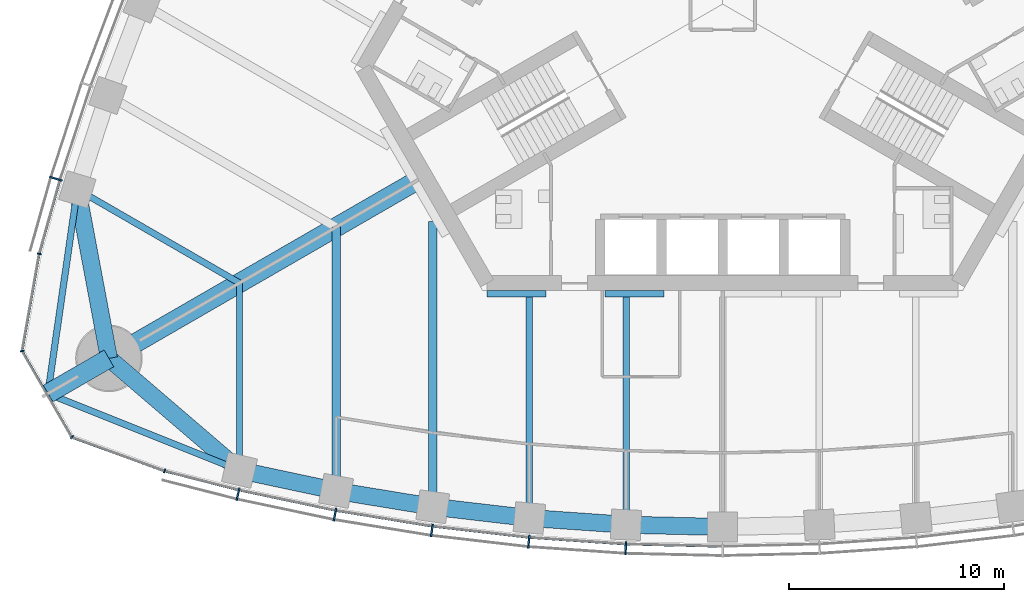
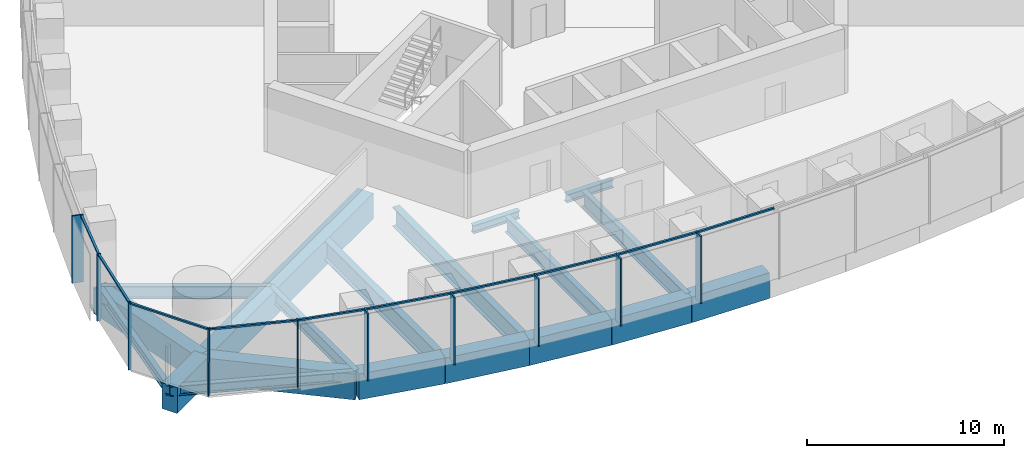
# One storey, part 2 of 18: 20 members, 19 beams, 3 elements without a shape of their own.
"""IFC4 building model written with IfcOpenShell, lengths in metres."""

from ifc_helpers import new_model, si_unit, direction, frame, origin, origin_2d, place, context, subcontext, project, spatial, rectangle, i_section, extrude, material, material_profile, profile_set, type_object, element, aggregate, save


model = new_model("IFC4")

# Units and contexts
model_context = context("Model", 3, precision=1e-05, world=origin(), true_north=direction((0.0, 1.0)))
body_context = subcontext(model_context, "Body", "Model", "MODEL_VIEW")
ifc_project = project(units=[si_unit("LENGTHUNIT", "METRE"), si_unit("AREAUNIT", "SQUARE_METRE"), si_unit("VOLUMEUNIT", "CUBIC_METRE"), si_unit("PLANEANGLEUNIT", "RADIAN"), si_unit("MASSUNIT", "GRAM", prefix="KILO")], contexts=[model_context])

# Site, building, storey
site_placement = place(None, origin())
site = spatial("IfcSite", under=ifc_project, at=site_placement, CompositionType="ELEMENT")
building_placement = place(site_placement, origin())
building = spatial("IfcBuilding", under=site, at=building_placement, Name="Trefoil Bronze Tower", CompositionType="ELEMENT")
storey_placement = place(building_placement, frame((0.0, 0.0, 252.699951171875)))
storey = spatial("IfcBuildingStorey", under=building, at=storey_placement, Name="L58", CompositionType="ELEMENT", Elevation=252.699951171875)

# Curtain wall, members
ifc_material_1 = material(Name="Tinted solar-control glass", Category="glass")
curtain_wall_type_1 = type_object("IfcCurtainWallType", Name="Bronze office curtain wall", PredefinedType="USERDEFINED", material=ifc_material_1)
curtain_wall_1_placement = place(storey_placement, origin())
curtain_wall_1 = element("IfcCurtainWall", 1, at=curtain_wall_1_placement, inside=storey, type_object=curtain_wall_type_1, Name="CW-A L58 F1", ObjectType="CURTAIN WALL", PredefinedType="USERDEFINED")
ifc_material_2 = material(Name="Bronze-finish aluminium", Category="aluminium")
ifc_material_profile_1 = material_profile(ifc_material_2, rectangle(XDim=0.60009765625, YDim=0.080078125, at=origin_2d()), Name="CW-A mullion")
ifc_profile_set_1 = profile_set([ifc_material_profile_1], Name="Bronze-finish aluminium")
member_type_1 = type_object("IfcMemberType", Name="Bronze office curtain wall mullion", PredefinedType="MULLION", material=ifc_profile_set_1)
member_1_placement = place(storey_placement, frame((-22.568115234375, -22.82421875, 0.0), z_axis=(0.0, 0.0, 1.0), x_axis=(0.227082662569, 0.973875487093, 0.0)))
member_1 = element("IfcMember", 2, at=member_1_placement, type_object=member_type_1, Name="CW-A L58 F1 mullion 2", PredefinedType="MULLION", context=body_context, shape_type="SweptSolid", body=[
    extrude(rectangle(XDim=0.60009765625, YDim=0.080078125, at=origin_2d()), origin(), (0.0, 0.0, 1.0), 4.179931640625),
])
member_2_placement = place(storey_placement, frame((-18.05517578125, -23.77783203125, 0.0), z_axis=(0.0, 0.0, 1.0), x_axis=(0.183825368167, 0.982958917767, 0.0)))
member_2 = element("IfcMember", 3, at=member_2_placement, type_object=member_type_1, Name="CW-A L58 F1 mullion 3", PredefinedType="MULLION", context=body_context, shape_type="SweptSolid", body=[
    extrude(rectangle(XDim=0.60009765625, YDim=0.080078125, at=origin_2d()), origin(), (0.0, 0.0, 1.0), 4.179931640625),
])
member_3_placement = place(storey_placement, frame((-13.541259765625, -24.51318359375, 0.0), z_axis=(0.0, 0.0, 1.0), x_axis=(0.137867887204, 0.990450627582, 0.0)))
member_3 = element("IfcMember", 4, at=member_3_placement, type_object=member_type_1, Name="CW-A L58 F1 mullion 4", PredefinedType="MULLION", context=body_context, shape_type="SweptSolid", body=[
    extrude(rectangle(XDim=0.60009765625, YDim=0.080078125, at=origin_2d()), origin(), (0.0, 0.0, 1.0), 4.179931640625),
])
member_4_placement = place(storey_placement, frame((-9.027587890625, -25.03515625, 0.0), z_axis=(0.0, 0.0, 1.0), x_axis=(0.091911396394, 0.995767189263, 0.0)))
member_4 = element("IfcMember", 5, at=member_4_placement, type_object=member_type_1, Name="CW-A L58 F1 mullion 5", PredefinedType="MULLION", context=body_context, shape_type="SweptSolid", body=[
    extrude(rectangle(XDim=0.60009765625, YDim=0.080078125, at=origin_2d()), origin(), (0.0, 0.0, 1.0), 4.179931640625),
])
member_5_placement = place(storey_placement, frame((-4.513671875, -25.346923828125, 0.0), z_axis=(0.0, 0.0, 1.0), x_axis=(0.045955542372, 0.998943485952, 0.0)))
member_5 = element("IfcMember", 6, at=member_5_placement, type_object=member_type_1, Name="CW-A L58 F1 mullion 6", PredefinedType="MULLION", context=body_context, shape_type="SweptSolid", body=[
    extrude(rectangle(XDim=0.60009765625, YDim=0.080078125, at=origin_2d()), origin(), (0.0, 0.0, 1.0), 4.179931640625),
])

# Curtain wall, member
curtain_wall_2_placement = place(storey_placement, origin())
curtain_wall_2 = element("IfcCurtainWall", 7, at=curtain_wall_2_placement, inside=storey, type_object=curtain_wall_type_1, Name="CW-A L58 F3", ObjectType="CURTAIN WALL", PredefinedType="USERDEFINED")
member_6_placement = place(storey_placement, frame((-31.05029296875, -8.132568359375, 0.0), z_axis=(0.0, 0.0, 1.0), x_axis=(0.95694224323, -0.290278389002, 0.0)))
member_6 = element("IfcMember", 8, at=member_6_placement, type_object=member_type_1, Name="CW-A L58 F3 mullion 12", PredefinedType="MULLION", context=body_context, shape_type="SweptSolid", body=[
    extrude(rectangle(XDim=0.60009765625, YDim=0.080078125, at=origin_2d()), origin(), (0.0, 0.0, 1.0), 4.179931640625),
])

# Member
ifc_material_3 = material(Name="Bronze-finish aluminium", Category="aluminium")
ifc_material_profile_2 = material_profile(ifc_material_3, rectangle(XDim=0.1201171875, YDim=0.10009765625, at=origin_2d()), Name="CW-A transom")
ifc_profile_set_2 = profile_set([ifc_material_profile_2], Name="Bronze-finish aluminium")
member_type_2 = type_object("IfcMemberType", Name="Bronze office curtain wall transom", PredefinedType="USERDEFINED", material=ifc_profile_set_2)
member_7_placement = place(storey_placement, frame((-25.93896484375, -21.75732421875, 4.130126953125), z_axis=(0.968935220916, -0.247314653162, 0.0), x_axis=(0.247314653162, 0.968935220916, 0.0)))
member_7 = element("IfcMember", 9, at=member_7_placement, type_object=member_type_2, Name="CW-A L58 F1 transom 1", ObjectType="TRANSOM", PredefinedType="USERDEFINED", context=body_context, shape_type="SweptSolid", body=[
    extrude(rectangle(XDim=0.1201171875, YDim=0.10009765625, at=origin_2d()), origin(), (0.0, 0.0, 1.0), 3.483642578125),
])

member_8_placement = place(storey_placement, frame((-22.4814453125, -22.63818359375, 4.130126953125), z_axis=(0.978395325657, -0.20674280334, 0.0), x_axis=(0.20674280334, 0.978395325657, 0.0)))
member_8 = element("IfcMember", 10, at=member_8_placement, type_object=member_type_2, Name="CW-A L58 F1 transom 2", ObjectType="TRANSOM", PredefinedType="USERDEFINED", context=body_context, shape_type="SweptSolid", body=[
    extrude(rectangle(XDim=0.1201171875, YDim=0.10009765625, at=origin_2d()), origin(), (0.0, 0.0, 1.0), 4.519287109375),
])

member_9_placement = place(storey_placement, frame((-17.9765625, -23.588134765625, 4.130126953125), z_axis=(0.986988367046, -0.160791676761, 0.0), x_axis=(0.160791676761, 0.986988367046, 0.0)))
member_9 = element("IfcMember", 11, at=member_9_placement, type_object=member_type_2, Name="CW-A L58 F1 transom 3", ObjectType="TRANSOM", PredefinedType="USERDEFINED", context=body_context, shape_type="SweptSolid", body=[
    extrude(rectangle(XDim=0.1201171875, YDim=0.10009765625, at=origin_2d()), origin(), (0.0, 0.0, 1.0), 4.479248046875),
])

member_10_placement = place(storey_placement, frame((-13.4716796875, -24.320068359375, 4.130126953125), z_axis=(0.993384885596, -0.114832352013, 0.0), x_axis=(0.114832352013, 0.993384885596, 0.0)))
member_10 = element("IfcMember", 12, at=member_10_placement, type_object=member_type_2, Name="CW-A L58 F1 transom 4", ObjectType="TRANSOM", PredefinedType="USERDEFINED", context=body_context, shape_type="SweptSolid", body=[
    extrude(rectangle(XDim=0.1201171875, YDim=0.10009765625, at=origin_2d()), origin(), (0.0, 0.0, 1.0), 4.449951171875),
])

member_11_placement = place(storey_placement, frame((-8.967041015625, -24.8388671875, 4.130126953125), z_axis=(0.997621320987, -0.06893257512, 0.0), x_axis=(0.06893257512, 0.997621320987, 0.0)))
member_11 = element("IfcMember", 13, at=member_11_placement, type_object=member_type_2, Name="CW-A L58 F1 transom 5", ObjectType="TRANSOM", PredefinedType="USERDEFINED", context=body_context, shape_type="SweptSolid", body=[
    extrude(rectangle(XDim=0.1201171875, YDim=0.10009765625, at=origin_2d()), origin(), (0.0, 0.0, 1.0), 4.4306640625),
])

member_12_placement = place(storey_placement, frame((-4.46240234375, -25.148193359375, 4.130126953125), z_axis=(0.999736131416, -0.022971015226, 0.0), x_axis=(0.022971015226, 0.999736131416, 0.0)))
member_12 = element("IfcMember", 14, at=member_12_placement, type_object=member_type_2, Name="CW-A L58 F1 transom 6", ObjectType="TRANSOM", PredefinedType="USERDEFINED", context=body_context, shape_type="SweptSolid", body=[
    extrude(rectangle(XDim=0.1201171875, YDim=0.10009765625, at=origin_2d()), origin(), (0.0, 0.0, 1.0), 4.42138671875),
])

aggregate(curtain_wall_1, [member_1, member_2, member_3, member_4, member_5, member_7, member_8, member_9, member_10, member_11, member_12])

member_13_placement = place(storey_placement, frame((-30.870361328125, -8.23095703125, 4.130126953125), z_axis=(-0.270284880437, -0.962780392097, 0.0), x_axis=(0.962780392097, -0.270284880437, 0.0)))
member_13 = element("IfcMember", 15, at=member_13_placement, type_object=member_type_2, Name="CW-A L58 F3 transom 12", ObjectType="TRANSOM", PredefinedType="USERDEFINED", context=body_context, shape_type="SweptSolid", body=[
    extrude(rectangle(XDim=0.1201171875, YDim=0.10009765625, at=origin_2d()), origin(), (0.0, 0.0, 1.0), 3.48388671875),
])

aggregate(curtain_wall_2, [member_6, member_13])

# Curtain wall, members
ifc_material_4 = material(Name="Tinted solar-control glass", Category="glass")
curtain_wall_type_2 = type_object("IfcCurtainWallType", Name="Bronze rounded corner curtain wall", PredefinedType="USERDEFINED", material=ifc_material_4)
curtain_wall_3_placement = place(storey_placement, origin())
curtain_wall_3 = element("IfcCurtainWall", 16, at=curtain_wall_3_placement, inside=storey, type_object=curtain_wall_type_2, Name="CW-B L58 K3", ObjectType="CURTAIN WALL", PredefinedType="USERDEFINED")
ifc_material_5 = material(Name="Bronze-finish aluminium", Category="aluminium")
ifc_material_profile_3 = material_profile(ifc_material_5, rectangle(XDim=0.199951171875, YDim=0.06005859375, at=origin_2d()), Name="CW-B mullion")
ifc_profile_set_3 = profile_set([ifc_material_profile_3], Name="Bronze-finish aluminium")
member_type_3 = type_object("IfcMemberType", Name="Bronze rounded corner curtain wall mullion", PredefinedType="MULLION", material=ifc_profile_set_3)
member_14_placement = place(storey_placement, frame((-31.824951171875, -11.63330078125, 0.0), z_axis=(0.0, 0.0, 1.0), x_axis=(0.984807753012, -0.173648177667, 0.0)))
member_14 = element("IfcMember", 17, at=member_14_placement, type_object=member_type_3, Name="CW-B L58 K3 mullion 1", PredefinedType="MULLION", context=body_context, shape_type="SweptSolid", body=[
    extrude(rectangle(XDim=0.199951171875, YDim=0.06005859375, at=origin_2d()), origin(), (0.0, 0.0, 1.0), 4.179931640625),
])
member_15_placement = place(storey_placement, frame((-32.616943359375, -16.158935546875, 0.0), z_axis=(0.0, 0.0, 1.0), x_axis=(0.984807753012, 0.173648177667, 0.0)))
member_15 = element("IfcMember", 18, at=member_15_placement, type_object=member_type_3, Name="CW-B L58 K3 mullion 2", PredefinedType="MULLION", context=body_context, shape_type="SweptSolid", body=[
    extrude(rectangle(XDim=0.199951171875, YDim=0.06005859375, at=origin_2d()), origin(), (0.0, 0.0, 1.0), 4.179931640625),
])
member_16_placement = place(storey_placement, frame((-30.302490234375, -20.16748046875, 0.0), z_axis=(0.0, 0.0, 1.0), x_axis=(0.642787609687, 0.766044443119, 0.0)))
member_16 = element("IfcMember", 19, at=member_16_placement, type_object=member_type_3, Name="CW-B L58 K3 mullion 3", PredefinedType="MULLION", context=body_context, shape_type="SweptSolid", body=[
    extrude(rectangle(XDim=0.199951171875, YDim=0.06005859375, at=origin_2d()), origin(), (0.0, 0.0, 1.0), 4.179931640625),
])
member_17_placement = place(storey_placement, frame((-25.9873046875, -21.74462890625, 0.0), z_axis=(0.0, 0.0, 1.0), x_axis=(0.342020143326, 0.939692620786, 0.0)))
member_17 = element("IfcMember", 20, at=member_17_placement, type_object=member_type_3, Name="CW-B L58 K3 mullion 4", PredefinedType="MULLION", context=body_context, shape_type="SweptSolid", body=[
    extrude(rectangle(XDim=0.199951171875, YDim=0.06005859375, at=origin_2d()), origin(), (0.0, 0.0, 1.0), 4.179931640625),
])
ifc_material_6 = material(Name="Bronze-finish aluminium", Category="aluminium")
ifc_material_profile_4 = material_profile(ifc_material_6, rectangle(XDim=0.1201171875, YDim=0.10009765625, at=origin_2d()), Name="CW-B transom")
ifc_profile_set_4 = profile_set([ifc_material_profile_4], Name="Bronze-finish aluminium")
member_type_4 = type_object("IfcMemberType", Name="Bronze rounded corner curtain wall transom", PredefinedType="USERDEFINED", material=ifc_profile_set_4)
member_18_placement = place(storey_placement, frame((-31.830078125, -11.662841796875, 4.130126953125), z_axis=(-0.173655350028, -0.984806488304, 0.0), x_axis=(0.984806488304, -0.173655350028, 0.0)))
member_18 = element("IfcMember", 21, at=member_18_placement, type_object=member_type_4, Name="CW-B L58 K3 transom 1", ObjectType="TRANSOM", PredefinedType="USERDEFINED", context=body_context, shape_type="SweptSolid", body=[
    extrude(rectangle(XDim=0.1201171875, YDim=0.10009765625, at=origin_2d()), origin(), (0.0, 0.0, 1.0), 4.500244140625),
])
member_19_placement = place(storey_placement, frame((-32.590087890625, -16.217529296875, 4.130126953125), z_axis=(0.500007335828, -0.866021168401, 0.0), x_axis=(0.866021168401, 0.500007335828, 0.0)))
member_19 = element("IfcMember", 22, at=member_19_placement, type_object=member_type_4, Name="CW-B L58 K3 transom 2", ObjectType="TRANSOM", PredefinedType="USERDEFINED", context=body_context, shape_type="SweptSolid", body=[
    extrude(rectangle(XDim=0.1201171875, YDim=0.10009765625, at=origin_2d()), origin(), (0.0, 0.0, 1.0), 4.50048828125),
])
member_20_placement = place(storey_placement, frame((-30.244140625, -20.195068359375, 4.130126953125), z_axis=(0.939680910753, -0.342052314664, 0.0), x_axis=(0.342052314664, 0.939680910753, 0.0)))
member_20 = element("IfcMember", 23, at=member_20_placement, type_object=member_type_4, Name="CW-B L58 K3 transom 3", ObjectType="TRANSOM", PredefinedType="USERDEFINED", context=body_context, shape_type="SweptSolid", body=[
    extrude(rectangle(XDim=0.1201171875, YDim=0.10009765625, at=origin_2d()), origin(), (0.0, 0.0, 1.0), 4.500244140625),
])
aggregate(curtain_wall_3, [member_14, member_15, member_16, member_17, member_18, member_19, member_20])

# Beams
ifc_material_7 = material(Name="Steel C355", Category="steel")
ifc_material_profile_5 = material_profile(ifc_material_7, i_section(OverallWidth=0.300048828125, OverallDepth=0.5, WebThickness=0.014404296875, FlangeThickness=0.028076171875, FilletRadius=0.027099609375, at=origin_2d()), Name="HEB 500")
ifc_profile_set_5 = profile_set([ifc_material_profile_5], Name="Steel C355")
beam_type_1 = type_object("IfcBeamType", Name="Core seat beam HEB 500", PredefinedType="BEAM", material=ifc_profile_set_5)
for number, where, z_axis, x_axis, name in (
    (24, (-10.9697265625, -13.5, -0.449951171875), (1.0, 0.0, 0.0), (0.0, 1.0, 0.0), "Core seat beam F1/-2 L58"),
    (25, (-5.48486328125, -13.5, -0.449951171875), (1.0, 0.0, 0.0), (0.0, 1.0, 0.0), "Core seat beam F1/-1 L58"),
):
    element("IfcBeam", number, at=place(storey_placement, frame(where, z_axis=z_axis, x_axis=x_axis)), inside=storey, type_object=beam_type_1, Name=name, PredefinedType="BEAM", context=body_context, shape_type="SweptSolid", body=[
        extrude(i_section(OverallWidth=0.300048828125, OverallDepth=0.5, WebThickness=0.014404296875, FlangeThickness=0.028076171875, FilletRadius=0.027099609375, at=origin_2d()), origin(), (0.0, 0.0, 1.0), 2.742431640625),
    ])
ifc_material_8 = material(Name="Concrete B80", Category="concrete")
ifc_material_profile_6 = material_profile(ifc_material_8, rectangle(XDim=0.89990234375, YDim=1.60009765625, at=origin_2d()), Name="RC 900x1600")
ifc_profile_set_6 = profile_set([ifc_material_profile_6], Name="Concrete B80")
beam_type_2 = type_object("IfcBeamType", Name="Corner cantilever RC 900x1600", PredefinedType="BEAM", material=ifc_profile_set_6)
beam_1_placement = place(storey_placement, frame((-28.578857421875, -16.5, -1.0), z_axis=(-0.866016004958, -0.500016278891, 0.0), x_axis=(0.500016278891, -0.866016004958, 0.0)))
element("IfcBeam", 26, at=beam_1_placement, inside=storey, type_object=beam_type_2, Name="Corner cantilever K3 L58", PredefinedType="BEAM", context=body_context, shape_type="SweptSolid", body=[
    extrude(rectangle(XDim=0.89990234375, YDim=1.60009765625, at=origin_2d()), origin(), (0.0, 0.0, 1.0), 3.28466796875),
])
ifc_material_9 = material(Name="Steel C355", Category="steel")
ifc_material_profile_7 = material_profile(ifc_material_9, i_section(OverallWidth=0.300048828125, OverallDepth=0.60009765625, WebThickness=0.015380859375, FlangeThickness=0.030029296875, FilletRadius=0.027099609375, at=origin_2d()), Name="HEB 600")
ifc_profile_set_7 = profile_set([ifc_material_profile_7], Name="Steel C355")
beam_type_3 = type_object("IfcBeamType", Name="Corner edge beam HEB 600", PredefinedType="BEAM", material=ifc_profile_set_7)
for number, where, z_axis, x_axis, name in (
    (27, (-22.5, -21.71044921875, -0.5), (-0.92852048463, 0.371281173266, 0.0), (-0.371281173266, -0.92852048463, 0.0), "Corner edge beam F1B L58"),
    (28, (-30.052001953125, -8.63037109375, -0.5), (-0.142694489722, -0.989766781925, 0.0), (0.989766781925, -0.142694489722, 0.0), "Corner edge beam F3A L58"),
):
    element("IfcBeam", number, at=place(storey_placement, frame(where, z_axis=z_axis, x_axis=x_axis)), inside=storey, type_object=beam_type_3, Name=name, PredefinedType="BEAM", context=body_context, shape_type="SweptSolid", body=[
        extrude(i_section(OverallWidth=0.300048828125, OverallDepth=0.60009765625, WebThickness=0.015380859375, FlangeThickness=0.030029296875, FilletRadius=0.027099609375, at=origin_2d()), origin(), (0.0, 0.0, 1.0), 9.6103515625),
    ])
ifc_material_10 = material(Name="Concrete B80", Category="concrete")
ifc_material_profile_8 = material_profile(ifc_material_10, rectangle(XDim=0.89990234375, YDim=1.60009765625, at=origin_2d()), Name="RC 900x1600")
ifc_profile_set_8 = profile_set([ifc_material_profile_8], Name="Concrete B80")
beam_type_4 = type_object("IfcBeamType", Name="Corner girder RC 900x1600", PredefinedType="BEAM", material=ifc_profile_set_8)
beam_2_placement = place(storey_placement, frame((-14.159423828125, -8.175048828125, -1.0), z_axis=(-0.866028334591, -0.49999492366, 0.0), x_axis=(0.49999492366, -0.866028334591, 0.0)))
element("IfcBeam", 29, at=beam_2_placement, inside=storey, type_object=beam_type_4, Name="Corner girder K3 L58", PredefinedType="BEAM", context=body_context, shape_type="SweptSolid", body=[
    extrude(rectangle(XDim=0.89990234375, YDim=1.60009765625, at=origin_2d()), origin(), (0.0, 0.0, 1.0), 16.650146484375),
])
ifc_material_11 = material(Name="Concrete B80", Category="concrete")
ifc_material_profile_9 = material_profile(ifc_material_11, rectangle(XDim=0.800048828125, YDim=1.60009765625, at=origin_2d()), Name="RC 800x1600")
ifc_profile_set_9 = profile_set([ifc_material_profile_9], Name="Concrete B80")
beam_type_5 = type_object("IfcBeamType", Name="End spandrel beam RC 800x1600", PredefinedType="SPANDREL", material=ifc_profile_set_9)
for number, where, z_axis, x_axis, name in (
    (30, (-28.578857421875, -16.5, -1.0), (0.759256602365, -0.650791373456, 0.0), (0.650791373456, 0.759256602365, 0.0), "Spandrel F1.1 L58"),
    (31, (-30.052001953125, -8.63037109375, -1.0), (0.18399763073, -0.982926686933, 0.0), (0.982926686933, 0.18399763073, 0.0), "Spandrel F3.12 L58"),
):
    element("IfcBeam", number, at=place(storey_placement, frame(where, z_axis=z_axis, x_axis=x_axis)), inside=storey, type_object=beam_type_5, Name=name, PredefinedType="SPANDREL", context=body_context, shape_type="SweptSolid", body=[
        extrude(rectangle(XDim=0.800048828125, YDim=1.60009765625, at=origin_2d()), origin(), (0.0, 0.0, 1.0), 8.00634765625),
    ])
ifc_material_12 = material(Name="Steel C355", Category="steel")
ifc_material_profile_10 = material_profile(ifc_material_12, i_section(OverallWidth=0.300048828125, OverallDepth=1.0, WebThickness=0.01904296875, FlangeThickness=0.035888671875, FilletRadius=0.030029296875, at=origin_2d()), Name="HEB 1000")
ifc_profile_set_10 = profile_set([ifc_material_profile_10], Name="Steel C355")
beam_type_6 = type_object("IfcBeamType", Name="Floor beam HEB 1000", PredefinedType="BEAM", material=ifc_profile_set_10)
beam_3_placement = place(storey_placement, frame((-9.0, -23.932861328125, -0.699951171875), z_axis=(0.0, 1.0, 0.0), x_axis=(-1.0, 0.0, 0.0)))
element("IfcBeam", 32, at=beam_3_placement, inside=storey, type_object=beam_type_6, Name="Floor beam F1/-2 L58", PredefinedType="BEAM", context=body_context, shape_type="SweptSolid", body=[
    extrude(i_section(OverallWidth=0.300048828125, OverallDepth=1.0, WebThickness=0.01904296875, FlangeThickness=0.035888671875, FilletRadius=0.030029296875, at=origin_2d()), origin(), (0.0, 0.0, 1.0), 10.282958984375),
])
ifc_material_13 = material(Name="Steel C355", Category="steel")
ifc_material_profile_11 = material_profile(ifc_material_13, i_section(OverallWidth=0.300048828125, OverallDepth=0.800048828125, WebThickness=0.017578125, FlangeThickness=0.032958984375, FilletRadius=0.030029296875, at=origin_2d()), Name="HEB 800")
ifc_profile_set_11 = profile_set([ifc_material_profile_11], Name="Steel C355")
beam_type_7 = type_object("IfcBeamType", Name="Floor beam HEB 800", PredefinedType="BEAM", material=ifc_profile_set_11)
beam_4_placement = place(storey_placement, frame((-22.5, -21.71044921875, -0.599853515625), z_axis=(0.0, 1.0, 0.0), x_axis=(-1.0, 0.0, 0.0)))
element("IfcBeam", 33, at=beam_4_placement, inside=storey, type_object=beam_type_7, Name="Floor beam F1/-5 L58", PredefinedType="BEAM", context=body_context, shape_type="SweptSolid", body=[
    extrude(i_section(OverallWidth=0.300048828125, OverallDepth=0.800048828125, WebThickness=0.017578125, FlangeThickness=0.032958984375, FilletRadius=0.030029296875, at=origin_2d()), origin(), (0.0, 0.0, 1.0), 8.719970703125),
])
beam_5_placement = place(storey_placement, frame((-30.052001953125, -8.63037109375, -0.599853515625), z_axis=(0.866027535932, -0.499996306993, 0.0), x_axis=(0.499996306993, 0.866027535932, 0.0)))
element("IfcBeam", 34, at=beam_5_placement, inside=storey, type_object=beam_type_7, Name="Floor beam F3/+5 L58", PredefinedType="BEAM", context=body_context, shape_type="SweptSolid", body=[
    extrude(i_section(OverallWidth=0.300048828125, OverallDepth=0.800048828125, WebThickness=0.017578125, FlangeThickness=0.032958984375, FilletRadius=0.030029296875, at=origin_2d()), origin(), (0.0, 0.0, 1.0), 8.72021484375),
])
ifc_material_14 = material(Name="Steel C355", Category="steel")
ifc_material_profile_12 = material_profile(ifc_material_14, i_section(OverallWidth=0.302001953125, OverallDepth=1.008056640625, WebThickness=0.02099609375, FlangeThickness=0.0400390625, FilletRadius=0.030029296875, at=origin_2d()), Name="HEM 1000")
ifc_profile_set_12 = profile_set([ifc_material_profile_12], Name="Steel C355")
beam_type_8 = type_object("IfcBeamType", Name="Floor beam HEM 1000", PredefinedType="BEAM", material=ifc_profile_set_12)
beam_6_placement = place(storey_placement, frame((-4.5, -24.246337890625, -0.703857421875), z_axis=(0.0, 1.0, 0.0), x_axis=(-1.0, 0.0, 0.0)))
element("IfcBeam", 35, at=beam_6_placement, inside=storey, type_object=beam_type_8, Name="Floor beam F1/-1 L58", PredefinedType="BEAM", context=body_context, shape_type="SweptSolid", body=[
    extrude(i_section(OverallWidth=0.302001953125, OverallDepth=1.008056640625, WebThickness=0.02099609375, FlangeThickness=0.0400390625, FilletRadius=0.030029296875, at=origin_2d()), origin(), (0.0, 0.0, 1.0), 10.596435546875),
])
ifc_material_15 = material(Name="Steel C355", Category="steel")
ifc_material_profile_13 = material_profile(ifc_material_15, i_section(OverallWidth=0.39990234375, OverallDepth=1.199951171875, WebThickness=0.02001953125, FlangeThickness=0.0400390625, FilletRadius=0.010009765625, at=origin_2d()), Name="WPG 1200")
ifc_profile_set_13 = profile_set([ifc_material_profile_13], Name="Steel C355")
beam_type_9 = type_object("IfcBeamType", Name="Floor beam WPG 1200", PredefinedType="BEAM", material=ifc_profile_set_13)
beam_7_placement = place(storey_placement, frame((-18.0, -22.6689453125, -0.800048828125), z_axis=(0.0, 1.0, 0.0), x_axis=(-1.0, 0.0, 0.0)))
element("IfcBeam", 36, at=beam_7_placement, inside=storey, type_object=beam_type_9, Name="Floor beam F1/-4 L58", PredefinedType="BEAM", context=body_context, shape_type="SweptSolid", body=[
    extrude(i_section(OverallWidth=0.39990234375, OverallDepth=1.199951171875, WebThickness=0.02001953125, FlangeThickness=0.0400390625, FilletRadius=0.010009765625, at=origin_2d()), origin(), (0.0, 0.0, 1.0), 12.276611328125),
])
beam_8_placement = place(storey_placement, frame((-13.5, -23.408447265625, -0.800048828125), z_axis=(0.0, 1.0, 0.0), x_axis=(-1.0, 0.0, 0.0)))
element("IfcBeam", 37, at=beam_8_placement, inside=storey, type_object=beam_type_9, Name="Floor beam F1/-3 L58", PredefinedType="BEAM", context=body_context, shape_type="SweptSolid", body=[
    extrude(i_section(OverallWidth=0.39990234375, OverallDepth=1.199951171875, WebThickness=0.02001953125, FlangeThickness=0.0400390625, FilletRadius=0.010009765625, at=origin_2d()), origin(), (0.0, 0.0, 1.0), 13.291015625),
])
ifc_material_16 = material(Name="Concrete B80", Category="concrete")
ifc_material_profile_14 = material_profile(ifc_material_16, rectangle(XDim=0.800048828125, YDim=1.60009765625, at=origin_2d()), Name="RC 800x1600")
ifc_profile_set_14 = profile_set([ifc_material_profile_14], Name="Concrete B80")
beam_type_10 = type_object("IfcBeamType", Name="Spandrel beam RC 800x1600", PredefinedType="SPANDREL", material=ifc_profile_set_14)
beam_9_placement = place(storey_placement, frame((-22.5, -21.71044921875, -1.0), z_axis=(0.978059483036, -0.208325820877, 0.0), x_axis=(0.208325820877, 0.978059483036, 0.0)))
element("IfcBeam", 38, at=beam_9_placement, inside=storey, type_object=beam_type_10, Name="Spandrel F1.2 L58", PredefinedType="SPANDREL", context=body_context, shape_type="SweptSolid", body=[
    extrude(rectangle(XDim=0.800048828125, YDim=1.60009765625, at=origin_2d()), origin(), (0.0, 0.0, 1.0), 4.600830078125),
])
beam_10_placement = place(storey_placement, frame((-18.0, -22.6689453125, -1.0), z_axis=(0.986764681833, -0.162158757664, 0.0), x_axis=(0.162158757664, 0.986764681833, 0.0)))
element("IfcBeam", 39, at=beam_10_placement, inside=storey, type_object=beam_type_10, Name="Spandrel F1.3 L58", PredefinedType="SPANDREL", context=body_context, shape_type="SweptSolid", body=[
    extrude(rectangle(XDim=0.800048828125, YDim=1.60009765625, at=origin_2d()), origin(), (0.0, 0.0, 1.0), 4.560302734375),
])
beam_11_placement = place(storey_placement, frame((-13.5, -23.408447265625, -1.0), z_axis=(0.993278017132, -0.115753102257, 0.0), x_axis=(0.115753102257, 0.993278017132, 0.0)))
element("IfcBeam", 40, at=beam_11_placement, inside=storey, type_object=beam_type_10, Name="Spandrel F1.4 L58", PredefinedType="SPANDREL", context=body_context, shape_type="SweptSolid", body=[
    extrude(rectangle(XDim=0.800048828125, YDim=1.60009765625, at=origin_2d()), origin(), (0.0, 0.0, 1.0), 4.530517578125),
])
beam_12_placement = place(storey_placement, frame((-9.0, -23.932861328125, -1.0), z_axis=(0.997582435881, -0.069493047291, 0.0), x_axis=(0.069493047291, 0.997582435881, 0.0)))
element("IfcBeam", 41, at=beam_12_placement, inside=storey, type_object=beam_type_10, Name="Spandrel F1.5 L58", PredefinedType="SPANDREL", context=body_context, shape_type="SweptSolid", body=[
    extrude(rectangle(XDim=0.800048828125, YDim=1.60009765625, at=origin_2d()), origin(), (0.0, 0.0, 1.0), 4.510986328125),
])
beam_13_placement = place(storey_placement, frame((-4.5, -24.246337890625, -1.0), z_axis=(0.999731770792, -0.023160018779, 0.0), x_axis=(0.023160018779, 0.999731770792, 0.0)))
element("IfcBeam", 42, at=beam_13_placement, inside=storey, type_object=beam_type_10, Name="Spandrel F1.6 L58", PredefinedType="SPANDREL", context=body_context, shape_type="SweptSolid", body=[
    extrude(rectangle(XDim=0.800048828125, YDim=1.60009765625, at=origin_2d()), origin(), (0.0, 0.0, 1.0), 4.501220703125),
])

save(model, "model.ifc")
